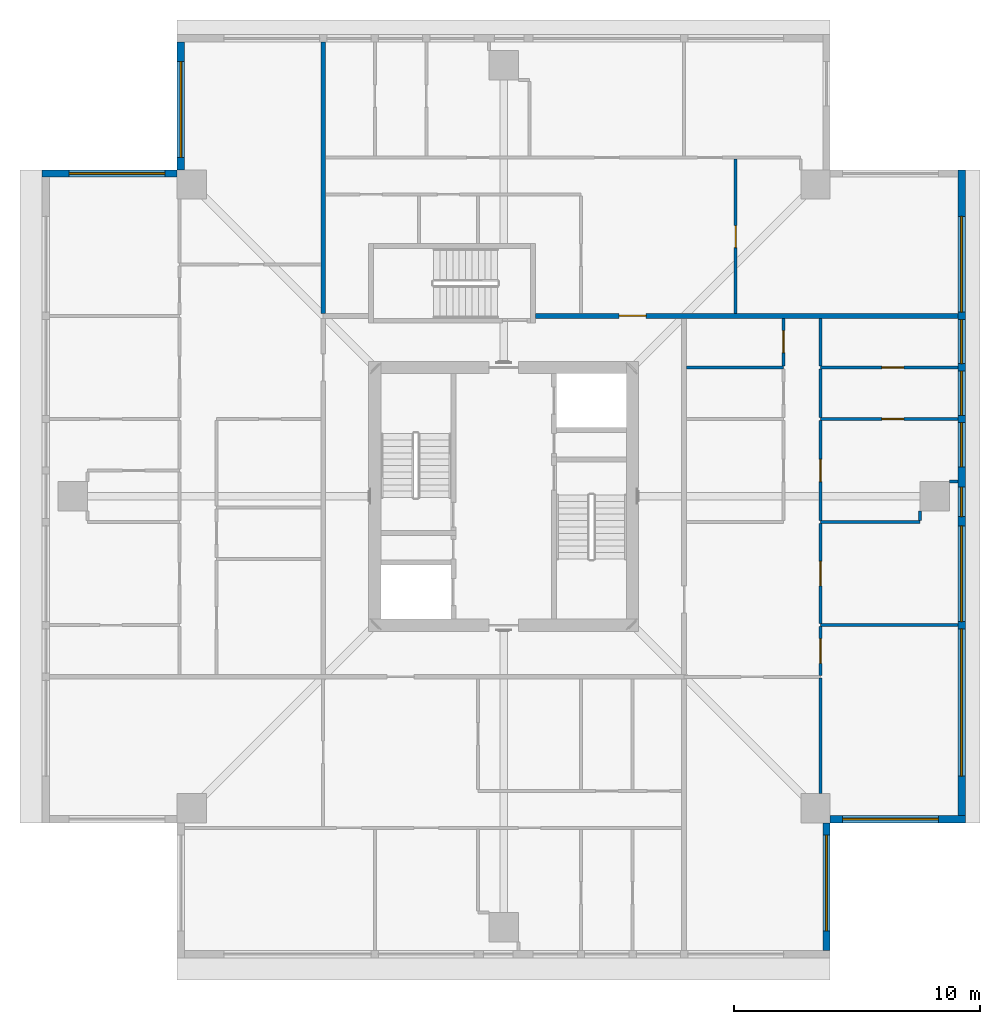
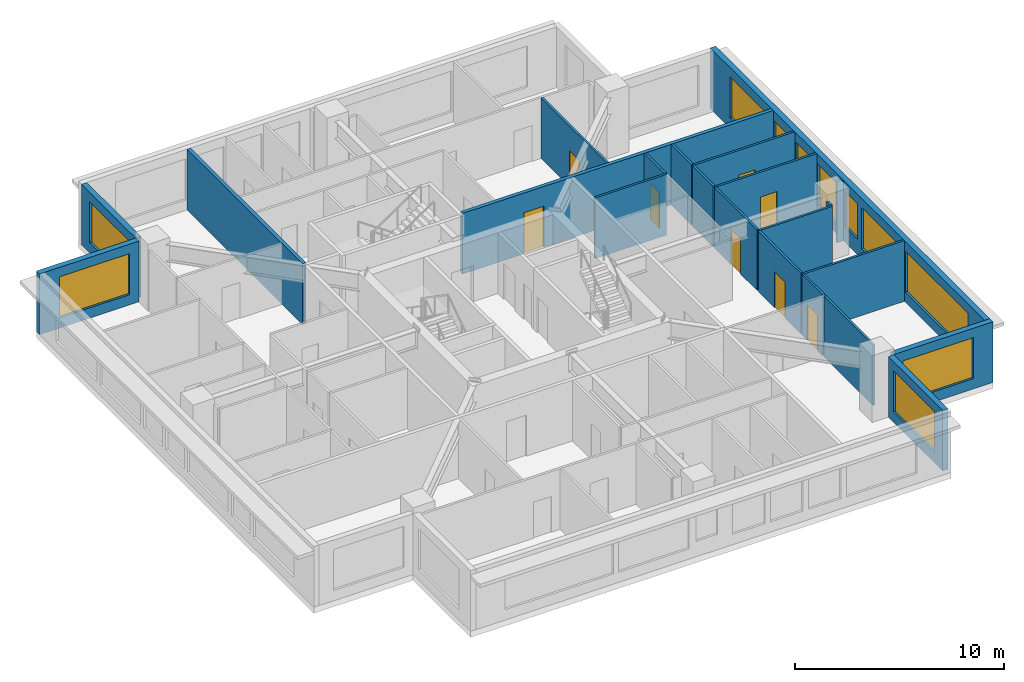
# One storey, part 7 of 11: 22 walls, 11 windows, 8 doors, 19 openings.
"""IFC4 building model written with IfcOpenShell, lengths in metres."""

import ifcopenshell
import ifcopenshell.guid

model = None  # the IFC model being written
_history = None  # IfcOwnerHistory: only IFC2X3 demands one
_inside = {}  # id of a spatial element -> (the spatial element, [elements in it])
_under = {}  # id of a project, library or spatial element -> (it, [spatial elements below it])
_declared = {}  # id of a project -> (the project, [libraries it declares])
_typed = {}  # id of a type object -> (the type object, [elements of that type])
_made_of = {}  # id of a material, layer set ... -> (it, [elements and type objects made of it])


def new_model(schema):
    """Start an empty IFC model of exactly this schema.

    Asked for "IFC4X3", IfcOpenShell would pick the latest addendum, in which some entities
    have other attributes; the version numbers below select the first issue.
    IFC2X3 requires an IfcOwnerHistory on every rooted entity: one is made here for all.
    """
    global model, _history
    if schema == "IFC4X3":
        model = ifcopenshell.file(schema_version=(4, 3, 0, 0))
    else:
        model = ifcopenshell.file(schema=schema)
    _inside.clear()
    _under.clear()
    _declared.clear()
    _typed.clear()
    _made_of.clear()
    _history = None
    if model.schema == "IFC2X3":
        org = make("IfcOrganization", Name="unknown")
        user = make(
            "IfcPersonAndOrganization",
            ThePerson=make("IfcPerson", FamilyName="unknown"),
            TheOrganization=org,
        )
        app = make(
            "IfcApplication",
            ApplicationDeveloper=org,
            Version="unknown",
            ApplicationFullName="unknown",
            ApplicationIdentifier="unknown",
        )
        _history = make(
            "IfcOwnerHistory",
            OwningUser=user,
            OwningApplication=app,
            ChangeAction="ADDED",
            CreationDate=0,
        )
    return model


def make(cls, **values):
    """One entity of the class cls with the attributes given. An attribute that is None is left unset."""
    return model.create_entity(
        cls, **{name: value for name, value in values.items() if value is not None}
    )


def rooted(cls, **values):
    """An entity with a GlobalId (a new one), such as an element, a storey or a relation."""
    return make(cls, GlobalId=ifcopenshell.guid.new(), OwnerHistory=_history, **values)


def si_unit(unit_type, name, prefix=None):
    """IfcSIUnit, for example si_unit("LENGTHUNIT", "METRE", prefix="MILLI")."""
    return make("IfcSIUnit", UnitType=unit_type, Prefix=prefix, Name=name)


def assignment(units):
    """IfcUnitAssignment: the units of a project."""
    return None if units is None else make("IfcUnitAssignment", Units=units)


def point(xyz):
    """IfcCartesianPoint."""
    return None if xyz is None else make("IfcCartesianPoint", Coordinates=xyz)


def direction(xyz):
    """IfcDirection."""
    return None if xyz is None else make("IfcDirection", DirectionRatios=xyz)


def frame(location, z_axis=None, x_axis=None):
    """IfcAxis2Placement3D, a coordinate frame: its origin and axes. An axis left out is left unset."""
    return make(
        "IfcAxis2Placement3D",
        Location=point(location),
        Axis=direction(z_axis),
        RefDirection=direction(x_axis),
    )


def frame_2d(location, x_axis=None):
    """IfcAxis2Placement2D, a coordinate frame in the plane: its origin and x axis."""
    return make(
        "IfcAxis2Placement2D", Location=point(location), RefDirection=direction(x_axis)
    )


def origin():
    """The frame at (0, 0, 0) with its axes left unset."""
    return frame((0.0, 0.0, 0.0))


def place(relative_to, where):
    """IfcLocalPlacement: puts the frame where relative to a parent placement (None: the world)."""
    return make(
        "IfcLocalPlacement", PlacementRelTo=relative_to, RelativePlacement=where
    )


def context(
    kind, dimensions, precision=None, world=None, true_north=None, identifier=None
):
    """IfcGeometricRepresentationContext, for example the 3D "Model" context."""
    return make(
        "IfcGeometricRepresentationContext",
        ContextIdentifier=identifier,
        ContextType=kind,
        CoordinateSpaceDimension=dimensions,
        Precision=precision,
        WorldCoordinateSystem=world,
        TrueNorth=true_north,
    )


def subcontext(parent, identifier, kind, view, scale=None):
    """IfcGeometricRepresentationSubContext, for example "Body" below "Model"."""
    return make(
        "IfcGeometricRepresentationSubContext",
        ContextIdentifier=identifier,
        ContextType=kind,
        ParentContext=parent,
        TargetScale=scale,
        TargetView=view,
    )


def project(units=None, contexts=None):
    """IfcProject with its units and contexts."""
    return rooted(
        "IfcProject",
        Name="project",
        RepresentationContexts=contexts,
        UnitsInContext=assignment(units),
    )


def spatial(cls, under=None, at=None, **own):
    """A site, building, storey or space (cls), placed at a placement, below another one or the project."""
    s = rooted(cls, ObjectPlacement=at, **own)
    if under is not None:
        _under.setdefault(under.id(), (under, []))[1].append(s)
    return s


def profile(cls, at=None, kind="AREA", **sizes):
    """A parametric profile (cls). Its sizes go by their IFC names, for example OverallWidth=200.0."""
    return make(cls, ProfileType=kind, Position=at, **sizes)


def rectangle(**sizes):
    """IfcRectangleProfileDef."""
    return profile("IfcRectangleProfileDef", **sizes)


def extrude(swept, where, along, depth):
    """IfcExtrudedAreaSolid: the profile swept, set in the frame where, extruded along a direction by depth."""
    return make(
        "IfcExtrudedAreaSolid",
        SweptArea=swept,
        Position=where,
        ExtrudedDirection=direction(along),
        Depth=depth,
    )


def shape(context_of_items, identifier, shape_type, items):
    """IfcShapeRepresentation: the items that make up one representation, for example the "Body"."""
    return make(
        "IfcShapeRepresentation",
        ContextOfItems=context_of_items,
        RepresentationIdentifier=identifier,
        RepresentationType=shape_type,
        Items=items,
    )


def material(Name=None, Category=None):
    """IfcMaterial."""
    return make("IfcMaterial", Name=Name, Category=Category)


def layer(
    of_material, thickness, ventilated=None, Name=None, Category=None, Priority=None
):
    """IfcMaterialLayer: one layer of a wall or slab, of a material (None: an air gap)."""
    return make(
        "IfcMaterialLayer",
        Material=of_material,
        LayerThickness=thickness,
        IsVentilated=ventilated,
        Name=Name,
        Category=Category,
        Priority=Priority,
    )


def layer_set(layers, Name=None):
    """IfcMaterialLayerSet."""
    return make("IfcMaterialLayerSet", MaterialLayers=layers, LayerSetName=Name)


def made_of(thing, what):
    """Note that an element or type object is made of a material, layer set ...; save() writes the relation."""
    if what is not None:
        _made_of.setdefault(what.id(), (what, []))[1].append(thing)
    return thing


def type_object(cls, material=None, **own):
    """A type object (cls), such as IfcWallType, which elements share."""
    return made_of(rooted(cls, **own), material)


def element(
    cls,
    number,
    at=None,
    inside=None,
    cuts=None,
    type_object=None,
    material=None,
    context=None,
    identifier="Body",
    shape_type=None,
    held_by="IfcProductDefinitionShape",
    body=None,
    shapes=None,
    **own,
):
    """One element of the class cls, such as IfcWall. Its Tag is "e" and its number.

    at: its placement. inside: the storey or other place that contains it. cuts: it is an
    opening in that element (IfcRelVoidsElement). A single representation is given by context,
    identifier, shape_type and body (its items); several are given by shapes. held_by: the class
    of the entity that holds the representations. save() writes the other relations.
    """
    e = rooted(cls, Tag="e%d" % number, ObjectPlacement=at, **own)
    if body is not None:
        shapes = [shape(context, identifier, shape_type, body)]
    if shapes is not None:
        e.Representation = make(held_by, Representations=shapes)
    if inside is not None:
        _inside.setdefault(inside.id(), (inside, []))[1].append(e)
    if cuts is not None:
        rooted(
            "IfcRelVoidsElement", RelatingBuildingElement=cuts, RelatedOpeningElement=e
        )
    if type_object is not None:
        _typed.setdefault(type_object.id(), (type_object, []))[1].append(e)
    return made_of(e, material)


def fill(opening, filler):
    """IfcRelFillsElement: the door or window that sits in an opening."""
    return rooted(
        "IfcRelFillsElement",
        RelatingOpeningElement=opening,
        RelatedBuildingElement=filler,
    )


def aggregate(whole, parts):
    """IfcRelAggregates: a whole, such as a stair, and the parts it consists of."""
    return rooted("IfcRelAggregates", RelatingObject=whole, RelatedObjects=parts)


def save(model, path):
    """Write the relations noted so far, then the file.

    IfcRelAggregates (storeys below a building ...), IfcRelContainedInSpatialStructure (elements
    in a storey), IfcRelDefinesByType, IfcRelAssociatesMaterial and IfcRelDeclares: one each for
    every whole, place, type object, material and project.
    """
    for whole, parts in _under.values():
        aggregate(whole, parts)
    for where, things in _inside.values():
        rooted(
            "IfcRelContainedInSpatialStructure",
            RelatedElements=things,
            RelatingStructure=where,
        )
    for kind, things in _typed.values():
        rooted("IfcRelDefinesByType", RelatedObjects=things, RelatingType=kind)
    for what, things in _made_of.values():
        rooted("IfcRelAssociatesMaterial", RelatedObjects=things, RelatingMaterial=what)
    for by, libraries in _declared.values():
        rooted("IfcRelDeclares", RelatingContext=by, RelatedDefinitions=libraries)
    model.write(path)


model = new_model("IFC4")

# Units and contexts
model_context = context("Model", 3, precision=1e-05, world=origin(), true_north=direction((0.0, 1.0)))
body_context = subcontext(model_context, "Body", "Model", "MODEL_VIEW")
ifc_project = project(units=[si_unit("LENGTHUNIT", "METRE"), si_unit("AREAUNIT", "SQUARE_METRE"), si_unit("VOLUMEUNIT", "CUBIC_METRE"), si_unit("PLANEANGLEUNIT", "RADIAN"), si_unit("MASSUNIT", "GRAM", prefix="KILO")], contexts=[model_context])

# Site, building, storey
site_placement = place(None, origin())
site = spatial("IfcSite", under=ifc_project, at=site_placement, CompositionType="ELEMENT")
building_placement = place(site_placement, origin())
building = spatial("IfcBuilding", under=site, at=building_placement, Name="Khepri Terraces", CompositionType="ELEMENT")
storey_placement = place(building_placement, frame((0.0, 0.0, 308.39990234375)))
storey = spatial("IfcBuildingStorey", under=building, at=storey_placement, Name="L74", CompositionType="ELEMENT", Elevation=308.39990234375)

# Wall, opening, door
ifc_material_1 = material(Name="Fire-rated gypsum plasterboard partition, mineral wool")
ifc_layer_1 = layer(ifc_material_1, 0.199951171875, Name="Fire-rated gypsum plasterboard partition, mineral wool")
ifc_layer_set_1 = layer_set([ifc_layer_1], Name="Fire-rated gypsum plasterboard partition, mineral wool")
wall_type_1 = type_object("IfcWallType", Name="WL-CORR-200", PredefinedType="PARTITIONING", material=ifc_layer_set_1)
wall_1_placement = place(storey_placement, frame((1.300048828125, 7.35009765625, 0.0), z_axis=(0.0, 0.0, 1.0), x_axis=(1.0, 0.0, 0.0)))
wall_1 = element("IfcWall", 1, at=wall_1_placement, inside=storey, type_object=wall_type_1, Name="Partition P-055 L74", PredefinedType="PARTITIONING", context=body_context, shape_type="SweptSolid", body=[
    extrude(rectangle(XDim=17.199951171875, YDim=0.199951171875, at=frame_2d((8.60009765625, 0.0))), origin(), (0.0, 0.0, 1.0), 3.550048828125),
])
opening_1_placement = place(wall_1_placement, frame((3.39990234375, 0.0, 0.0)))
opening_1 = element("IfcOpeningElement", 2, at=opening_1_placement, cuts=wall_1, Name="Opening D1", PredefinedType="OPENING", context=body_context, shape_type="SweptSolid", body=[
    extrude(rectangle(XDim=1.10009765625, YDim=2.39990234375, at=frame_2d((0.550048828125, 1.199951171875))), frame((0.0, 0.10986328125, 0.0), z_axis=(0.0, -1.0, 0.0), x_axis=(1.0, 0.0, 0.0)), (0.0, 0.0, 1.0), 0.219970703125),
])
ifc_material_2 = material(Name="Solid-core timber door leaf, flat entrance door", Category="wood")
door_type_1 = type_object("IfcDoorType", Name="DR-ENT-1100", OperationType="NOTDEFINED", PredefinedType="DOOR", material=ifc_material_2)
door_1_placement = place(opening_1_placement, origin())
door_1 = element("IfcDoor", 3, at=door_1_placement, inside=storey, type_object=door_type_1, Name="Flat C1 entrance door", OperationType="SINGLE_SWING_LEFT", OverallHeight=2.39990234375, OverallWidth=1.10009765625, PredefinedType="DOOR", context=body_context, shape_type="SweptSolid", body=[
    extrude(rectangle(XDim=1.10009765625, YDim=2.39990234375, at=frame_2d((0.550048828125, 1.199951171875))), frame((0.0, 0.02490234375, 0.0), z_axis=(0.0, -1.0, 0.0), x_axis=(1.0, 0.0, 0.0)), (0.0, 0.0, 1.0), 0.050048828125),
])
fill(opening_1, door_1)

# Wall
wall_2_placement = place(storey_placement, frame((-7.35009765625, 7.449951171875, 0.0), z_axis=(0.0, 0.0, 1.0), x_axis=(0.0, 1.0, 0.0)))
element("IfcWall", 4, at=wall_2_placement, inside=storey, type_object=wall_type_1, Name="Partition P-057 L74", PredefinedType="PARTITIONING", context=body_context, shape_type="SweptSolid", body=[
    extrude(rectangle(XDim=11.050048828125, YDim=0.199951171875, at=frame_2d((5.52490234375, 0.0))), origin(), (0.0, 0.0, 1.0), 3.550048828125),
])

# Wall, openings, windows
ifc_material_3 = material(Name="Precast concrete C50/60 warm stone", Category="masonry")
ifc_layer_2 = layer(ifc_material_3, 0.300048828125, Name="Precast concrete C50/60 warm stone", Category="masonry")
ifc_layer_set_2 = layer_set([ifc_layer_2], Name="Precast concrete C50/60 warm stone")
wall_type_2 = type_object("IfcWallType", Name="WL-EXT-PRECAST-300", PredefinedType="STANDARD", material=ifc_layer_set_2)
wall_3_placement = place(storey_placement, frame((18.64990234375, -13.0, 0.0), z_axis=(0.0, 0.0, 1.0), x_axis=(0.0, 1.0, 0.0)))
wall_3 = element("IfcWall", 5, at=wall_3_placement, inside=storey, type_object=wall_type_2, Name="External wall L74 E", PredefinedType="STANDARD", context=body_context, shape_type="SweptSolid", body=[
    extrude(rectangle(XDim=26.300048828125, YDim=0.300048828125, at=frame_2d((13.14990234375, 0.0))), origin(), (0.0, 0.0, 1.0), 3.550048828125),
])
opening_2_placement = place(wall_3_placement, frame((1.60009765625, 0.0, 0.60009765625)))
opening_2 = element("IfcOpeningElement", 6, at=opening_2_placement, cuts=wall_3, Name="Opening WC3", PredefinedType="OPENING", context=body_context, shape_type="SweptSolid", body=[
    extrude(rectangle(XDim=6.0, YDim=2.39990234375, at=frame_2d((3.0, 1.199951171875))), frame((0.0, 0.16015625, 0.0), z_axis=(0.0, -1.0, 0.0), x_axis=(1.0, 0.0, 0.0)), (0.0, 0.0, 1.0), 0.320068359375),
])
opening_3_placement = place(wall_3_placement, frame((7.89990234375, 0.0, 0.60009765625)))
opening_3 = element("IfcOpeningElement", 7, at=opening_3_placement, cuts=wall_3, Name="Opening WC2", PredefinedType="OPENING", context=body_context, shape_type="SweptSolid", body=[
    extrude(rectangle(XDim=3.89990234375, YDim=2.39990234375, at=frame_2d((1.949951171875, 1.199951171875))), frame((0.0, 0.16015625, 0.0), z_axis=(0.0, -1.0, 0.0), x_axis=(1.0, 0.0, 0.0)), (0.0, 0.0, 1.0), 0.320068359375),
])
opening_4_placement = place(wall_3_placement, frame((14.199951171875, 0.0, 0.60009765625)))
opening_4 = element("IfcOpeningElement", 8, at=opening_4_placement, cuts=wall_3, Name="Opening WC1", PredefinedType="OPENING", context=body_context, shape_type="SweptSolid", body=[
    extrude(rectangle(XDim=1.800048828125, YDim=2.39990234375, at=frame_2d((0.89990234375, 1.199951171875))), frame((0.0, 0.16015625, 0.0), z_axis=(0.0, -1.0, 0.0), x_axis=(1.0, 0.0, 0.0)), (0.0, 0.0, 1.0), 0.320068359375),
])
opening_5_placement = place(wall_3_placement, frame((16.300048828125, 0.0, 0.60009765625)))
opening_5 = element("IfcOpeningElement", 9, at=opening_5_placement, cuts=wall_3, Name="Opening WC1", PredefinedType="OPENING", context=body_context, shape_type="SweptSolid", body=[
    extrude(rectangle(XDim=1.800048828125, YDim=2.39990234375, at=frame_2d((0.89990234375, 1.199951171875))), frame((0.0, 0.16015625, 0.0), z_axis=(0.0, -1.0, 0.0), x_axis=(1.0, 0.0, 0.0)), (0.0, 0.0, 1.0), 0.320068359375),
])
opening_6_placement = place(wall_3_placement, frame((18.39990234375, 0.0, 0.60009765625)))
opening_6 = element("IfcOpeningElement", 10, at=opening_6_placement, cuts=wall_3, Name="Opening WC1", PredefinedType="OPENING", context=body_context, shape_type="SweptSolid", body=[
    extrude(rectangle(XDim=1.800048828125, YDim=2.39990234375, at=frame_2d((0.89990234375, 1.199951171875))), frame((0.0, 0.16015625, 0.0), z_axis=(0.0, -1.0, 0.0), x_axis=(1.0, 0.0, 0.0)), (0.0, 0.0, 1.0), 0.320068359375),
])
opening_7_placement = place(wall_3_placement, frame((20.5, 0.0, 0.60009765625)))
opening_7 = element("IfcOpeningElement", 11, at=opening_7_placement, cuts=wall_3, Name="Opening WC2", PredefinedType="OPENING", context=body_context, shape_type="SweptSolid", body=[
    extrude(rectangle(XDim=3.89990234375, YDim=2.39990234375, at=frame_2d((1.949951171875, 1.199951171875))), frame((0.0, 0.16015625, 0.0), z_axis=(0.0, -1.0, 0.0), x_axis=(1.0, 0.0, 0.0)), (0.0, 0.0, 1.0), 0.320068359375),
])
opening_8_placement = place(wall_3_placement, frame((12.175048828125, 0.0, 0.89990234375)))
opening_8 = element("IfcOpeningElement", 12, at=opening_8_placement, cuts=wall_3, Name="Opening W4", PredefinedType="OPENING", context=body_context, shape_type="SweptSolid", body=[
    extrude(rectangle(XDim=1.199951171875, YDim=2.10009765625, at=frame_2d((0.60009765625, 1.050048828125))), frame((0.0, 0.16015625, 0.0), z_axis=(0.0, -1.0, 0.0), x_axis=(1.0, 0.0, 0.0)), (0.0, 0.0, 1.0), 0.320068359375),
])
ifc_material_4 = material(Name="Clear glass", Category="glass")
window_type_1 = type_object("IfcWindowType", Name="WIN-CRN-1800x2400", PartitioningType="SINGLE_PANEL", PredefinedType="WINDOW", material=ifc_material_4)
window_1_placement = place(opening_4_placement, origin())
window_1 = element("IfcWindow", 13, at=window_1_placement, inside=storey, type_object=window_type_1, Name="Window L74 E", OverallHeight=2.39990234375, OverallWidth=1.800048828125, PartitioningType="SINGLE_PANEL", PredefinedType="WINDOW", context=body_context, shape_type="SweptSolid", body=[
    extrude(rectangle(XDim=1.800048828125, YDim=2.39990234375, at=frame_2d((0.89990234375, 1.199951171875))), frame((0.0, 0.030029296875, 0.0), z_axis=(0.0, -1.0, 0.0), x_axis=(1.0, 0.0, 0.0)), (0.0, 0.0, 1.0), 0.06005859375),
])
fill(opening_4, window_1)
window_2_placement = place(opening_5_placement, origin())
window_2 = element("IfcWindow", 14, at=window_2_placement, inside=storey, type_object=window_type_1, Name="Window L74 E", OverallHeight=2.39990234375, OverallWidth=1.800048828125, PartitioningType="SINGLE_PANEL", PredefinedType="WINDOW", context=body_context, shape_type="SweptSolid", body=[
    extrude(rectangle(XDim=1.800048828125, YDim=2.39990234375, at=frame_2d((0.89990234375, 1.199951171875))), frame((0.0, 0.030029296875, 0.0), z_axis=(0.0, -1.0, 0.0), x_axis=(1.0, 0.0, 0.0)), (0.0, 0.0, 1.0), 0.06005859375),
])
fill(opening_5, window_2)
window_3_placement = place(opening_6_placement, origin())
window_3 = element("IfcWindow", 15, at=window_3_placement, inside=storey, type_object=window_type_1, Name="Window L74 E", OverallHeight=2.39990234375, OverallWidth=1.800048828125, PartitioningType="SINGLE_PANEL", PredefinedType="WINDOW", context=body_context, shape_type="SweptSolid", body=[
    extrude(rectangle(XDim=1.800048828125, YDim=2.39990234375, at=frame_2d((0.89990234375, 1.199951171875))), frame((0.0, 0.030029296875, 0.0), z_axis=(0.0, -1.0, 0.0), x_axis=(1.0, 0.0, 0.0)), (0.0, 0.0, 1.0), 0.06005859375),
])
fill(opening_6, window_3)
window_type_2 = type_object("IfcWindowType", Name="WIN-CRN-3900x2400", PartitioningType="SINGLE_PANEL", PredefinedType="WINDOW", material=ifc_material_4)
window_4_placement = place(opening_3_placement, origin())
window_4 = element("IfcWindow", 16, at=window_4_placement, inside=storey, type_object=window_type_2, Name="Window L74 E", OverallHeight=2.39990234375, OverallWidth=3.89990234375, PartitioningType="SINGLE_PANEL", PredefinedType="WINDOW", context=body_context, shape_type="SweptSolid", body=[
    extrude(rectangle(XDim=3.89990234375, YDim=2.39990234375, at=frame_2d((1.949951171875, 1.199951171875))), frame((0.0, 0.030029296875, 0.0), z_axis=(0.0, -1.0, 0.0), x_axis=(1.0, 0.0, 0.0)), (0.0, 0.0, 1.0), 0.06005859375),
])
fill(opening_3, window_4)
window_5_placement = place(opening_7_placement, origin())
window_5 = element("IfcWindow", 17, at=window_5_placement, inside=storey, type_object=window_type_2, Name="Window L74 E", OverallHeight=2.39990234375, OverallWidth=3.89990234375, PartitioningType="SINGLE_PANEL", PredefinedType="WINDOW", context=body_context, shape_type="SweptSolid", body=[
    extrude(rectangle(XDim=3.89990234375, YDim=2.39990234375, at=frame_2d((1.949951171875, 1.199951171875))), frame((0.0, 0.030029296875, 0.0), z_axis=(0.0, -1.0, 0.0), x_axis=(1.0, 0.0, 0.0)), (0.0, 0.0, 1.0), 0.06005859375),
])
fill(opening_7, window_5)
window_type_3 = type_object("IfcWindowType", Name="WIN-CRN-6000x2400", PartitioningType="SINGLE_PANEL", PredefinedType="WINDOW", material=ifc_material_4)
window_6_placement = place(opening_2_placement, origin())
window_6 = element("IfcWindow", 18, at=window_6_placement, inside=storey, type_object=window_type_3, Name="Window L74 E", OverallHeight=2.39990234375, OverallWidth=6.0, PartitioningType="SINGLE_PANEL", PredefinedType="WINDOW", context=body_context, shape_type="SweptSolid", body=[
    extrude(rectangle(XDim=6.0, YDim=2.39990234375, at=frame_2d((3.0, 1.199951171875))), frame((0.0, 0.030029296875, 0.0), z_axis=(0.0, -1.0, 0.0), x_axis=(1.0, 0.0, 0.0)), (0.0, 0.0, 1.0), 0.06005859375),
])
fill(opening_2, window_6)
window_type_4 = type_object("IfcWindowType", Name="WIN-RES-1200x2100", PartitioningType="SINGLE_PANEL", PredefinedType="WINDOW", material=ifc_material_4)
window_7_placement = place(opening_8_placement, origin())
window_7 = element("IfcWindow", 19, at=window_7_placement, inside=storey, type_object=window_type_4, Name="Window L74 E", OverallHeight=2.10009765625, OverallWidth=1.199951171875, PartitioningType="SINGLE_PANEL", PredefinedType="WINDOW", context=body_context, shape_type="SweptSolid", body=[
    extrude(rectangle(XDim=1.199951171875, YDim=2.10009765625, at=frame_2d((0.60009765625, 1.050048828125))), frame((0.0, 0.030029296875, 0.0), z_axis=(0.0, -1.0, 0.0), x_axis=(1.0, 0.0, 0.0)), (0.0, 0.0, 1.0), 0.06005859375),
])
fill(opening_8, window_7)

# Wall, opening, window
wall_4_placement = place(storey_placement, frame((-13.14990234375, 18.5, 0.0), z_axis=(0.0, 0.0, 1.0), x_axis=(0.0, -1.0, 0.0)))
wall_4 = element("IfcWall", 20, at=wall_4_placement, inside=storey, type_object=wall_type_2, Name="External wall L74 W", PredefinedType="STANDARD", context=body_context, shape_type="SweptSolid", body=[
    extrude(rectangle(XDim=5.199951171875, YDim=0.300048828125, at=frame_2d((2.60009765625, 0.0))), origin(), (0.0, 0.0, 1.0), 3.550048828125),
])
opening_9_placement = place(wall_4_placement, frame((0.800048828125, 0.0, 0.60009765625)))
opening_9 = element("IfcOpeningElement", 21, at=opening_9_placement, cuts=wall_4, Name="Opening WC2", PredefinedType="OPENING", context=body_context, shape_type="SweptSolid", body=[
    extrude(rectangle(XDim=3.89990234375, YDim=2.39990234375, at=frame_2d((1.949951171875, 1.199951171875))), frame((0.0, 0.16015625, 0.0), z_axis=(0.0, -1.0, 0.0), x_axis=(1.0, 0.0, 0.0)), (0.0, 0.0, 1.0), 0.320068359375),
])
window_8_placement = place(opening_9_placement, origin())
window_8 = element("IfcWindow", 22, at=window_8_placement, inside=storey, type_object=window_type_2, Name="Window L74 W", OverallHeight=2.39990234375, OverallWidth=3.89990234375, PartitioningType="SINGLE_PANEL", PredefinedType="WINDOW", context=body_context, shape_type="SweptSolid", body=[
    extrude(rectangle(XDim=3.89990234375, YDim=2.39990234375, at=frame_2d((1.949951171875, 1.199951171875))), frame((0.0, 0.030029296875, 0.0), z_axis=(0.0, -1.0, 0.0), x_axis=(1.0, 0.0, 0.0)), (0.0, 0.0, 1.0), 0.06005859375),
])
fill(opening_9, window_8)

wall_5_placement = place(storey_placement, frame((-13.300048828125, 13.14990234375, 0.0), z_axis=(0.0, 0.0, 1.0), x_axis=(-1.0, 0.0, 0.0)))
wall_5 = element("IfcWall", 23, at=wall_5_placement, inside=storey, type_object=wall_type_2, Name="External wall L74 N", PredefinedType="STANDARD", context=body_context, shape_type="SweptSolid", body=[
    extrude(rectangle(XDim=5.5, YDim=0.300048828125, at=frame_2d((2.75, 0.0))), origin(), (0.0, 0.0, 1.0), 3.550048828125),
])
opening_10_placement = place(wall_5_placement, frame((0.5, 0.0, 0.60009765625)))
opening_10 = element("IfcOpeningElement", 24, at=opening_10_placement, cuts=wall_5, Name="Opening WC2", PredefinedType="OPENING", context=body_context, shape_type="SweptSolid", body=[
    extrude(rectangle(XDim=3.89990234375, YDim=2.39990234375, at=frame_2d((1.949951171875, 1.199951171875))), frame((0.0, 0.16015625, 0.0), z_axis=(0.0, -1.0, 0.0), x_axis=(1.0, 0.0, 0.0)), (0.0, 0.0, 1.0), 0.320068359375),
])
window_9_placement = place(opening_10_placement, origin())
window_9 = element("IfcWindow", 25, at=window_9_placement, inside=storey, type_object=window_type_2, Name="Window L74 N", OverallHeight=2.39990234375, OverallWidth=3.89990234375, PartitioningType="SINGLE_PANEL", PredefinedType="WINDOW", context=body_context, shape_type="SweptSolid", body=[
    extrude(rectangle(XDim=3.89990234375, YDim=2.39990234375, at=frame_2d((1.949951171875, 1.199951171875))), frame((0.0, 0.030029296875, 0.0), z_axis=(0.0, -1.0, 0.0), x_axis=(1.0, 0.0, 0.0)), (0.0, 0.0, 1.0), 0.06005859375),
])
fill(opening_10, window_9)

wall_6_placement = place(storey_placement, frame((13.14990234375, -18.5, 0.0), z_axis=(0.0, 0.0, 1.0), x_axis=(0.0, 1.0, 0.0)))
wall_6 = element("IfcWall", 26, at=wall_6_placement, inside=storey, type_object=wall_type_2, Name="External wall L74 E", PredefinedType="STANDARD", context=body_context, shape_type="SweptSolid", body=[
    extrude(rectangle(XDim=5.199951171875, YDim=0.300048828125, at=frame_2d((2.60009765625, 0.0))), origin(), (0.0, 0.0, 1.0), 3.550048828125),
])
opening_11_placement = place(wall_6_placement, frame((0.800048828125, 0.0, 0.60009765625)))
opening_11 = element("IfcOpeningElement", 27, at=opening_11_placement, cuts=wall_6, Name="Opening WC2", PredefinedType="OPENING", context=body_context, shape_type="SweptSolid", body=[
    extrude(rectangle(XDim=3.89990234375, YDim=2.39990234375, at=frame_2d((1.949951171875, 1.199951171875))), frame((0.0, 0.16015625, 0.0), z_axis=(0.0, -1.0, 0.0), x_axis=(1.0, 0.0, 0.0)), (0.0, 0.0, 1.0), 0.320068359375),
])
window_10_placement = place(opening_11_placement, origin())
window_10 = element("IfcWindow", 28, at=window_10_placement, inside=storey, type_object=window_type_2, Name="Window L74 E", OverallHeight=2.39990234375, OverallWidth=3.89990234375, PartitioningType="SINGLE_PANEL", PredefinedType="WINDOW", context=body_context, shape_type="SweptSolid", body=[
    extrude(rectangle(XDim=3.89990234375, YDim=2.39990234375, at=frame_2d((1.949951171875, 1.199951171875))), frame((0.0, 0.030029296875, 0.0), z_axis=(0.0, -1.0, 0.0), x_axis=(1.0, 0.0, 0.0)), (0.0, 0.0, 1.0), 0.06005859375),
])
fill(opening_11, window_10)

wall_7_placement = place(storey_placement, frame((13.300048828125, -13.14990234375, 0.0), z_axis=(0.0, 0.0, 1.0), x_axis=(1.0, 0.0, 0.0)))
wall_7 = element("IfcWall", 29, at=wall_7_placement, inside=storey, type_object=wall_type_2, Name="External wall L74 S", PredefinedType="STANDARD", context=body_context, shape_type="SweptSolid", body=[
    extrude(rectangle(XDim=5.5, YDim=0.300048828125, at=frame_2d((2.75, 0.0))), origin(), (0.0, 0.0, 1.0), 3.550048828125),
])
opening_12_placement = place(wall_7_placement, frame((0.5, 0.0, 0.60009765625)))
opening_12 = element("IfcOpeningElement", 30, at=opening_12_placement, cuts=wall_7, Name="Opening WC2", PredefinedType="OPENING", context=body_context, shape_type="SweptSolid", body=[
    extrude(rectangle(XDim=3.89990234375, YDim=2.39990234375, at=frame_2d((1.949951171875, 1.199951171875))), frame((0.0, 0.16015625, 0.0), z_axis=(0.0, -1.0, 0.0), x_axis=(1.0, 0.0, 0.0)), (0.0, 0.0, 1.0), 0.320068359375),
])
window_11_placement = place(opening_12_placement, origin())
window_11 = element("IfcWindow", 31, at=window_11_placement, inside=storey, type_object=window_type_2, Name="Window L74 S", OverallHeight=2.39990234375, OverallWidth=3.89990234375, PartitioningType="SINGLE_PANEL", PredefinedType="WINDOW", context=body_context, shape_type="SweptSolid", body=[
    extrude(rectangle(XDim=3.89990234375, YDim=2.39990234375, at=frame_2d((1.949951171875, 1.199951171875))), frame((0.0, 0.030029296875, 0.0), z_axis=(0.0, -1.0, 0.0), x_axis=(1.0, 0.0, 0.0)), (0.0, 0.0, 1.0), 0.06005859375),
])
fill(opening_12, window_11)

# Wall
ifc_material_5 = material(Name="Gypsum plasterboard partition")
ifc_layer_3 = layer(ifc_material_5, 0.1201171875, Name="Gypsum plasterboard partition")
ifc_layer_set_3 = layer_set([ifc_layer_3], Name="Gypsum plasterboard partition")
wall_type_3 = type_object("IfcWallType", Name="WL-PART-120", PredefinedType="PARTITIONING", material=ifc_layer_set_3)
wall_8_placement = place(storey_placement, frame((12.89990234375, -12.10009765625, 0.0), z_axis=(0.0, 0.0, 1.0), x_axis=(0.0, 1.0, 0.0)))
element("IfcWall", 32, at=wall_8_placement, inside=storey, type_object=wall_type_3, Name="Partition P-010 L74", PredefinedType="PARTITIONING", context=body_context, shape_type="SweptSolid", body=[
    extrude(rectangle(XDim=4.690185546875, YDim=0.1201171875, at=frame_2d((2.34521484375, 0.0))), origin(), (0.0, 0.0, 1.0), 3.550048828125),
])

# Wall, opening, door
wall_9_placement = place(storey_placement, frame((12.89990234375, -7.2900390625, 0.0), z_axis=(0.0, 0.0, 1.0), x_axis=(0.0, 1.0, 0.0)))
wall_9 = element("IfcWall", 33, at=wall_9_placement, inside=storey, type_object=wall_type_3, Name="Partition P-017 L74", PredefinedType="PARTITIONING", context=body_context, shape_type="SweptSolid", body=[
    extrude(rectangle(XDim=1.97998046875, YDim=0.1201171875, at=frame_2d((0.989990234375, 0.0))), origin(), (0.0, 0.0, 1.0), 3.550048828125),
])
opening_13_placement = place(wall_9_placement, frame((0.489990234375, 0.0, 0.0)))
opening_13 = element("IfcOpeningElement", 34, at=opening_13_placement, cuts=wall_9, Name="Opening D2", PredefinedType="OPENING", context=body_context, shape_type="SweptSolid", body=[
    extrude(rectangle(XDim=1.0, YDim=2.10009765625, at=frame_2d((0.5, 1.050048828125))), frame((0.0, 0.070068359375, 0.0), z_axis=(0.0, -1.0, 0.0), x_axis=(1.0, 0.0, 0.0)), (0.0, 0.0, 1.0), 0.14013671875),
])
ifc_material_6 = material(Name="Timber door leaf, living room door", Category="wood")
door_type_2 = type_object("IfcDoorType", Name="DR-INT-1000", OperationType="NOTDEFINED", PredefinedType="DOOR", material=ifc_material_6)
door_2_placement = place(opening_13_placement, frame((1.0, 0.0, 0.0), z_axis=(0.0, 0.0, 1.0), x_axis=(-1.0, 0.0, 0.0)))
door_2 = element("IfcDoor", 35, at=door_2_placement, inside=storey, type_object=door_type_2, Name="Door Living Room", OperationType="SINGLE_SWING_LEFT", OverallHeight=2.10009765625, OverallWidth=1.0, PredefinedType="DOOR", context=body_context, shape_type="SweptSolid", body=[
    extrude(rectangle(XDim=1.0, YDim=2.10009765625, at=frame_2d((0.5, 1.050048828125))), frame((0.0, 0.02490234375, 0.0), z_axis=(0.0, -1.0, 0.0), x_axis=(1.0, 0.0, 0.0)), (0.0, 0.0, 1.0), 0.050048828125),
])
fill(opening_13, door_2)

# Wall
wall_10_placement = place(storey_placement, frame((12.89990234375, -5.25, 0.0), z_axis=(0.0, 0.0, 1.0), x_axis=(1.0, 0.0, 0.0)))
element("IfcWall", 36, at=wall_10_placement, inside=storey, type_object=wall_type_3, Name="Partition P-023 L74", PredefinedType="PARTITIONING", context=body_context, shape_type="SweptSolid", body=[
    extrude(rectangle(XDim=5.60009765625, YDim=0.1201171875, at=frame_2d((2.800048828125, 0.0))), origin(), (0.0, 0.0, 1.0), 3.550048828125),
])

# Wall, opening, door
wall_11_placement = place(storey_placement, frame((12.89990234375, -5.18994140625, 0.0), z_axis=(0.0, 0.0, 1.0), x_axis=(0.0, 1.0, 0.0)))
wall_11 = element("IfcWall", 37, at=wall_11_placement, inside=storey, type_object=wall_type_3, Name="Partition P-025 L74", PredefinedType="PARTITIONING", context=body_context, shape_type="SweptSolid", body=[
    extrude(rectangle(XDim=4.079833984375, YDim=0.1201171875, at=frame_2d((2.0400390625, 0.0))), origin(), (0.0, 0.0, 1.0), 3.550048828125),
])
opening_14_placement = place(wall_11_placement, frame((1.5400390625, 0.0, 0.0)))
opening_14 = element("IfcOpeningElement", 38, at=opening_14_placement, cuts=wall_11, Name="Opening D2", PredefinedType="OPENING", context=body_context, shape_type="SweptSolid", body=[
    extrude(rectangle(XDim=1.0, YDim=2.10009765625, at=frame_2d((0.5, 1.050048828125))), frame((0.0, 0.070068359375, 0.0), z_axis=(0.0, -1.0, 0.0), x_axis=(1.0, 0.0, 0.0)), (0.0, 0.0, 1.0), 0.14013671875),
])
door_3_placement = place(opening_14_placement, frame((1.0, 0.0, 0.0), z_axis=(0.0, 0.0, 1.0), x_axis=(-1.0, 0.0, 0.0)))
door_3 = element("IfcDoor", 39, at=door_3_placement, inside=storey, type_object=door_type_2, Name="Door Family Room", OperationType="SINGLE_SWING_LEFT", OverallHeight=2.10009765625, OverallWidth=1.0, PredefinedType="DOOR", context=body_context, shape_type="SweptSolid", body=[
    extrude(rectangle(XDim=1.0, YDim=2.10009765625, at=frame_2d((0.5, 1.050048828125))), frame((0.0, 0.02490234375, 0.0), z_axis=(0.0, -1.0, 0.0), x_axis=(1.0, 0.0, 0.0)), (0.0, 0.0, 1.0), 0.050048828125),
])
fill(opening_14, door_3)

# Wall
wall_12_placement = place(storey_placement, frame((12.89990234375, -1.050048828125, 0.0), z_axis=(0.0, 0.0, 1.0), x_axis=(1.0, 0.0, 0.0)))
element("IfcWall", 40, at=wall_12_placement, inside=storey, type_object=wall_type_3, Name="Partition P-030 L74", PredefinedType="PARTITIONING", context=body_context, shape_type="SweptSolid", body=[
    extrude(rectangle(XDim=4.049072265625, YDim=0.1201171875, at=frame_2d((2.0244140625, 0.0))), origin(), (0.0, 0.0, 1.0), 3.550048828125),
])

# Wall, opening, door
wall_13_placement = place(storey_placement, frame((12.89990234375, -0.989990234375, 0.0), z_axis=(0.0, 0.0, 1.0), x_axis=(0.0, 1.0, 0.0)))
wall_13 = element("IfcWall", 41, at=wall_13_placement, inside=storey, type_object=wall_type_3, Name="Partition P-034 L74", PredefinedType="PARTITIONING", context=body_context, shape_type="SweptSolid", body=[
    extrude(rectangle(XDim=4.080078125, YDim=0.1201171875, at=frame_2d((2.0400390625, 0.0))), origin(), (0.0, 0.0, 1.0), 3.550048828125),
])
opening_15_placement = place(wall_13_placement, frame((1.590087890625, 0.0, 0.0)))
opening_15 = element("IfcOpeningElement", 42, at=opening_15_placement, cuts=wall_13, Name="Opening D3", PredefinedType="OPENING", context=body_context, shape_type="SweptSolid", body=[
    extrude(rectangle(XDim=0.89990234375, YDim=2.10009765625, at=frame_2d((0.449951171875, 1.050048828125))), frame((0.0, 0.070068359375, 0.0), z_axis=(0.0, -1.0, 0.0), x_axis=(1.0, 0.0, 0.0)), (0.0, 0.0, 1.0), 0.14013671875),
])
ifc_material_7 = material(Name="Timber door leaf", Category="wood")
door_type_3 = type_object("IfcDoorType", Name="DR-INT-900", OperationType="NOTDEFINED", PredefinedType="DOOR", material=ifc_material_7)
door_4_placement = place(opening_15_placement, frame((0.89990234375, 0.0, 0.0), z_axis=(0.0, 0.0, 1.0), x_axis=(-1.0, 0.0, 0.0)))
door_4 = element("IfcDoor", 43, at=door_4_placement, inside=storey, type_object=door_type_3, Name="Door Master Bedroom", OperationType="SINGLE_SWING_LEFT", OverallHeight=2.10009765625, OverallWidth=0.89990234375, PredefinedType="DOOR", context=body_context, shape_type="SweptSolid", body=[
    extrude(rectangle(XDim=0.89990234375, YDim=2.10009765625, at=frame_2d((0.449951171875, 1.050048828125))), frame((0.0, 0.02490234375, 0.0), z_axis=(0.0, -1.0, 0.0), x_axis=(1.0, 0.0, 0.0)), (0.0, 0.0, 1.0), 0.050048828125),
])
fill(opening_15, door_4)

# Walls
wall_14_placement = place(storey_placement, frame((16.948974609375, -0.989990234375, 0.0), z_axis=(0.0, 0.0, 1.0), x_axis=(0.0, 1.0, 0.0)))
element("IfcWall", 44, at=wall_14_placement, inside=storey, type_object=wall_type_3, Name="Partition P-035 L74", PredefinedType="PARTITIONING", context=body_context, shape_type="SweptSolid", body=[
    extrude(rectangle(XDim=0.389892578125, YDim=0.1201171875, at=frame_2d((0.19482421875, 0.0))), origin(), (0.0, 0.0, 1.0), 3.550048828125),
])
wall_15_placement = place(storey_placement, frame((18.14990234375, 0.60107421875, 0.0), z_axis=(0.0, 0.0, 1.0), x_axis=(1.0, 0.0, 0.0)))
element("IfcWall", 45, at=wall_15_placement, inside=storey, type_object=wall_type_3, Name="Partition P-039 L74", PredefinedType="PARTITIONING", context=body_context, shape_type="SweptSolid", body=[
    extrude(rectangle(XDim=0.35009765625, YDim=0.1201171875, at=frame_2d((0.175048828125, 0.0))), origin(), (0.0, 0.0, 1.0), 3.550048828125),
])

# Wall, opening, door
wall_16_placement = place(storey_placement, frame((12.89990234375, 3.14990234375, 0.0), z_axis=(0.0, 0.0, 1.0), x_axis=(1.0, 0.0, 0.0)))
wall_16 = element("IfcWall", 46, at=wall_16_placement, inside=storey, type_object=wall_type_3, Name="Partition P-045 L74", PredefinedType="PARTITIONING", context=body_context, shape_type="SweptSolid", body=[
    extrude(rectangle(XDim=5.60009765625, YDim=0.1201171875, at=frame_2d((2.800048828125, 0.0))), origin(), (0.0, 0.0, 1.0), 3.550048828125),
])
opening_16_placement = place(wall_16_placement, frame((2.5, 0.0, 0.0)))
opening_16 = element("IfcOpeningElement", 47, at=opening_16_placement, cuts=wall_16, Name="Opening D3", PredefinedType="OPENING", context=body_context, shape_type="SweptSolid", body=[
    extrude(rectangle(XDim=0.89990234375, YDim=2.10009765625, at=frame_2d((0.449951171875, 1.050048828125))), frame((0.0, 0.070068359375, 0.0), z_axis=(0.0, -1.0, 0.0), x_axis=(1.0, 0.0, 0.0)), (0.0, 0.0, 1.0), 0.14013671875),
])
door_5_placement = place(opening_16_placement, origin())
door_5 = element("IfcDoor", 48, at=door_5_placement, inside=storey, type_object=door_type_3, Name="Door Dressing Room", OperationType="SINGLE_SWING_RIGHT", OverallHeight=2.10009765625, OverallWidth=0.89990234375, PredefinedType="DOOR", context=body_context, shape_type="SweptSolid", body=[
    extrude(rectangle(XDim=0.89990234375, YDim=2.10009765625, at=frame_2d((0.449951171875, 1.050048828125))), frame((0.0, 0.02490234375, 0.0), z_axis=(0.0, -1.0, 0.0), x_axis=(1.0, 0.0, 0.0)), (0.0, 0.0, 1.0), 0.050048828125),
])
fill(opening_16, door_5)

# Walls
wall_17_placement = place(storey_placement, frame((12.89990234375, 3.2099609375, 0.0), z_axis=(0.0, 0.0, 1.0), x_axis=(0.0, 1.0, 0.0)))
element("IfcWall", 49, at=wall_17_placement, inside=storey, type_object=wall_type_3, Name="Partition P-048 L74", PredefinedType="PARTITIONING", context=body_context, shape_type="SweptSolid", body=[
    extrude(rectangle(XDim=1.97998046875, YDim=0.1201171875, at=frame_2d((0.989990234375, 0.0))), origin(), (0.0, 0.0, 1.0), 3.550048828125),
])
wall_18_placement = place(storey_placement, frame((7.449951171875, 5.25, 0.0), z_axis=(0.0, 0.0, 1.0), x_axis=(1.0, 0.0, 0.0)))
element("IfcWall", 50, at=wall_18_placement, inside=storey, type_object=wall_type_3, Name="Partition P-049 L74", PredefinedType="PARTITIONING", context=body_context, shape_type="SweptSolid", body=[
    extrude(rectangle(XDim=3.949951171875, YDim=0.1201171875, at=frame_2d((1.97509765625, 0.0))), origin(), (0.0, 0.0, 1.0), 3.550048828125),
])

# Wall, opening, door
wall_19_placement = place(storey_placement, frame((12.89990234375, 5.25, 0.0), z_axis=(0.0, 0.0, 1.0), x_axis=(1.0, 0.0, 0.0)))
wall_19 = element("IfcWall", 51, at=wall_19_placement, inside=storey, type_object=wall_type_3, Name="Partition P-050 L74", PredefinedType="PARTITIONING", context=body_context, shape_type="SweptSolid", body=[
    extrude(rectangle(XDim=5.60009765625, YDim=0.1201171875, at=frame_2d((2.800048828125, 0.0))), origin(), (0.0, 0.0, 1.0), 3.550048828125),
])
opening_17_placement = place(wall_19_placement, frame((2.5, 0.0, 0.0)))
opening_17 = element("IfcOpeningElement", 52, at=opening_17_placement, cuts=wall_19, Name="Opening D4", PredefinedType="OPENING", context=body_context, shape_type="SweptSolid", body=[
    extrude(rectangle(XDim=0.89990234375, YDim=2.10009765625, at=frame_2d((0.449951171875, 1.050048828125))), frame((0.0, 0.070068359375, 0.0), z_axis=(0.0, -1.0, 0.0), x_axis=(1.0, 0.0, 0.0)), (0.0, 0.0, 1.0), 0.14013671875),
])
ifc_material_8 = material(Name="Timber door leaf, moisture resistant", Category="wood")
door_type_4 = type_object("IfcDoorType", Name="DR-WET-900", OperationType="NOTDEFINED", PredefinedType="DOOR", material=ifc_material_8)
door_6_placement = place(opening_17_placement, origin())
door_6 = element("IfcDoor", 53, at=door_6_placement, inside=storey, type_object=door_type_4, Name="Door Bathroom", OperationType="SINGLE_SWING_RIGHT", OverallHeight=2.10009765625, OverallWidth=0.89990234375, PredefinedType="DOOR", context=body_context, shape_type="SweptSolid", body=[
    extrude(rectangle(XDim=0.89990234375, YDim=2.10009765625, at=frame_2d((0.449951171875, 1.050048828125))), frame((0.0, 0.02490234375, 0.0), z_axis=(0.0, -1.0, 0.0), x_axis=(1.0, 0.0, 0.0)), (0.0, 0.0, 1.0), 0.050048828125),
])
fill(opening_17, door_6)

wall_20_placement = place(storey_placement, frame((11.39990234375, 5.31005859375, 0.0), z_axis=(0.0, 0.0, 1.0), x_axis=(0.0, 1.0, 0.0)))
wall_20 = element("IfcWall", 54, at=wall_20_placement, inside=storey, type_object=wall_type_3, Name="Partition P-051 L74", PredefinedType="PARTITIONING", context=body_context, shape_type="SweptSolid", body=[
    extrude(rectangle(XDim=1.93994140625, YDim=0.1201171875, at=frame_2d((0.969970703125, 0.0))), origin(), (0.0, 0.0, 1.0), 3.550048828125),
])
opening_18_placement = place(wall_20_placement, frame((0.5400390625, 0.0, 0.0)))
opening_18 = element("IfcOpeningElement", 55, at=opening_18_placement, cuts=wall_20, Name="Opening D4", PredefinedType="OPENING", context=body_context, shape_type="SweptSolid", body=[
    extrude(rectangle(XDim=0.89990234375, YDim=2.10009765625, at=frame_2d((0.449951171875, 1.050048828125))), frame((0.0, 0.070068359375, 0.0), z_axis=(0.0, -1.0, 0.0), x_axis=(1.0, 0.0, 0.0)), (0.0, 0.0, 1.0), 0.14013671875),
])
door_7_placement = place(opening_18_placement, origin())
door_7 = element("IfcDoor", 56, at=door_7_placement, inside=storey, type_object=door_type_4, Name="Door Guest Bathroom", OperationType="SINGLE_SWING_RIGHT", OverallHeight=2.10009765625, OverallWidth=0.89990234375, PredefinedType="DOOR", context=body_context, shape_type="SweptSolid", body=[
    extrude(rectangle(XDim=0.89990234375, YDim=2.10009765625, at=frame_2d((0.449951171875, 1.050048828125))), frame((0.0, 0.02490234375, 0.0), z_axis=(0.0, -1.0, 0.0), x_axis=(1.0, 0.0, 0.0)), (0.0, 0.0, 1.0), 0.050048828125),
])
fill(opening_18, door_7)

# Wall
wall_21_placement = place(storey_placement, frame((12.89990234375, 5.31005859375, 0.0), z_axis=(0.0, 0.0, 1.0), x_axis=(0.0, 1.0, 0.0)))
element("IfcWall", 57, at=wall_21_placement, inside=storey, type_object=wall_type_3, Name="Partition P-052 L74", PredefinedType="PARTITIONING", context=body_context, shape_type="SweptSolid", body=[
    extrude(rectangle(XDim=1.93994140625, YDim=0.1201171875, at=frame_2d((0.969970703125, 0.0))), origin(), (0.0, 0.0, 1.0), 3.550048828125),
])

# Wall, opening, door
wall_22_placement = place(storey_placement, frame((9.449951171875, 7.449951171875, 0.0), z_axis=(0.0, 0.0, 1.0), x_axis=(0.0, 1.0, 0.0)))
wall_22 = element("IfcWall", 58, at=wall_22_placement, inside=storey, type_object=wall_type_3, Name="Partition P-059 L74", PredefinedType="PARTITIONING", context=body_context, shape_type="SweptSolid", body=[
    extrude(rectangle(XDim=6.2900390625, YDim=0.1201171875, at=frame_2d((3.14501953125, 0.0))), origin(), (0.0, 0.0, 1.0), 3.550048828125),
])
opening_19_placement = place(wall_22_placement, frame((2.675048828125, 0.0, 0.0)))
opening_19 = element("IfcOpeningElement", 59, at=opening_19_placement, cuts=wall_22, Name="Opening D3", PredefinedType="OPENING", context=body_context, shape_type="SweptSolid", body=[
    extrude(rectangle(XDim=0.89990234375, YDim=2.10009765625, at=frame_2d((0.449951171875, 1.050048828125))), frame((0.0, 0.070068359375, 0.0), z_axis=(0.0, -1.0, 0.0), x_axis=(1.0, 0.0, 0.0)), (0.0, 0.0, 1.0), 0.14013671875),
])
door_8_placement = place(opening_19_placement, frame((0.89990234375, 0.0, 0.0), z_axis=(0.0, 0.0, 1.0), x_axis=(-1.0, 0.0, 0.0)))
door_8 = element("IfcDoor", 60, at=door_8_placement, inside=storey, type_object=door_type_3, Name="Door Library", OperationType="SINGLE_SWING_RIGHT", OverallHeight=2.10009765625, OverallWidth=0.89990234375, PredefinedType="DOOR", context=body_context, shape_type="SweptSolid", body=[
    extrude(rectangle(XDim=0.89990234375, YDim=2.10009765625, at=frame_2d((0.449951171875, 1.050048828125))), frame((0.0, 0.02490234375, 0.0), z_axis=(0.0, -1.0, 0.0), x_axis=(1.0, 0.0, 0.0)), (0.0, 0.0, 1.0), 0.050048828125),
])
fill(opening_19, door_8)

save(model, "model.ifc")
